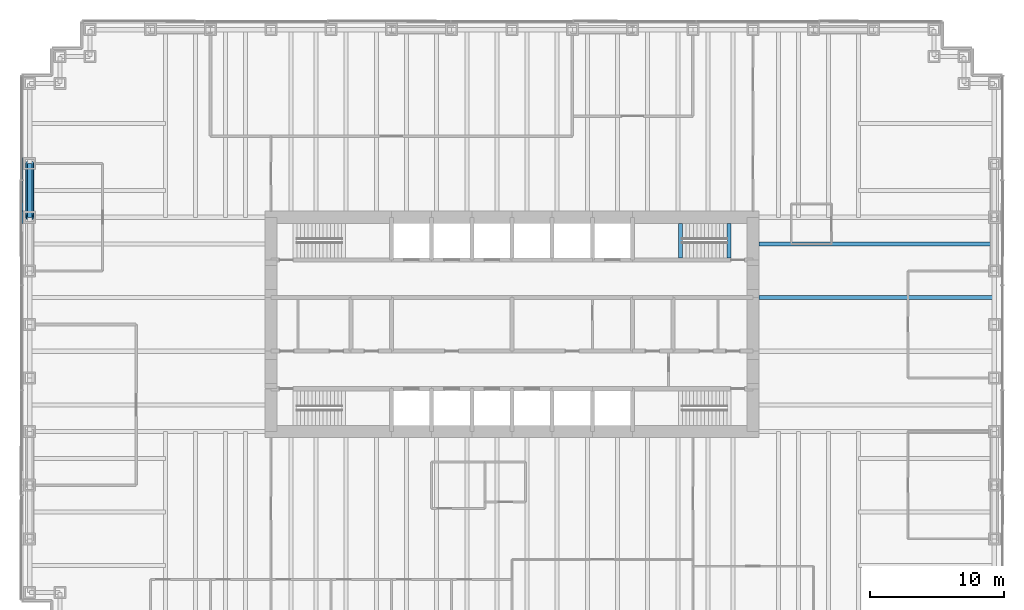
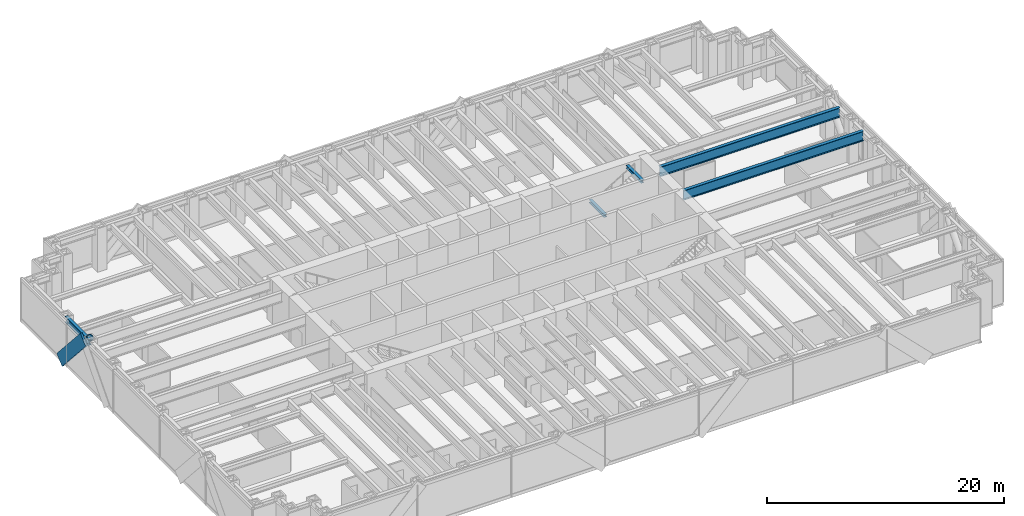
# One storey, part 4 of 13: 5 beams, 2 members, 1 element without a shape of its own.
"""IFC4 building model written with IfcOpenShell, lengths in metres."""

from ifc_helpers import new_model, si_unit, direction, frame, origin, origin_2d, place, context, subcontext, project, spatial, rectangle, hollow_circle, i_section, extrude, material, material_profile, profile_set, type_object, element, aggregate, save


model = new_model("IFC4")

# Units and contexts
model_context = context("Model", 3, precision=1e-05, world=origin(), true_north=direction((0.0, 1.0)))
body_context = subcontext(model_context, "Body", "Model", "MODEL_VIEW")
ifc_project = project(units=[si_unit("LENGTHUNIT", "METRE"), si_unit("AREAUNIT", "SQUARE_METRE"), si_unit("VOLUMEUNIT", "CUBIC_METRE"), si_unit("PLANEANGLEUNIT", "RADIAN"), si_unit("MASSUNIT", "GRAM", prefix="KILO")], contexts=[model_context])

# Site, building, storey
site_placement = place(None, origin())
site = spatial("IfcSite", under=ifc_project, at=site_placement, CompositionType="ELEMENT")
building_placement = place(site_placement, origin())
building = spatial("IfcBuilding", under=site, at=building_placement, Name="Rheinbord Bourse Tower", CompositionType="ELEMENT")
storey_placement = place(building_placement, frame((0.0, 0.0, 68.0)))
storey = spatial("IfcBuildingStorey", under=building, at=storey_placement, Name="L14", CompositionType="ELEMENT", Elevation=68.0)

# Curtain wall, member
ifc_material_1 = material(Name="Dark glass and black aluminium", Category="aluminium")
curtain_wall_type = type_object("IfcCurtainWallType", Name="CW1 DARK GLASS CURTAIN WALL", PredefinedType="USERDEFINED", material=ifc_material_1)
curtain_wall_placement = place(storey_placement, origin())
curtain_wall = element("IfcCurtainWall", 1, at=curtain_wall_placement, inside=storey, type_object=curtain_wall_type, Name="Curtain wall CW1 W L14", ObjectType="UNITISED CURTAIN WALL", PredefinedType="USERDEFINED")
ifc_material_2 = material(Name="Black anodised aluminium", Category="aluminium")
ifc_material_profile_1 = material_profile(ifc_material_2, rectangle(XDim=0.179931640625, YDim=1.2099609375, at=origin_2d()), Name="CW1 DIAGONAL MULLION 1210x180")
ifc_profile_set_1 = profile_set([ifc_material_profile_1], Name="Black anodised aluminium")
member_type_1 = type_object("IfcMemberType", Name="CW1 BLACK DIAGONAL MULLION", PredefinedType="USERDEFINED", material=ifc_profile_set_1)
member_1_placement = place(storey_placement, frame((-0.60009765625, 36.0, 0.0), z_axis=(0.0, -0.66436383883, 0.747409318684), x_axis=(1.0, 0.0, 0.0)))
member_1 = element("IfcMember", 2, at=member_1_placement, type_object=member_type_1, Name="CW1 diagonal mullion d", ObjectType="DIAGONAL MULLION", PredefinedType="USERDEFINED", context=body_context, shape_type="SweptSolid", body=[
    extrude(rectangle(XDim=0.179931640625, YDim=1.2099609375, at=origin_2d()), origin(), (0.0, 0.0, 1.0), 6.020751953125),
])
aggregate(curtain_wall, [member_1])

# Beams
ifc_material_3 = material(Name="Steel S460", Category="steel")
ifc_material_profile_2 = material_profile(ifc_material_3, i_section(OverallWidth=0.302001953125, OverallDepth=1.008056640625, WebThickness=0.02099609375, FlangeThickness=0.0400390625, at=origin_2d()), Name="HEM 1000")
ifc_profile_set_2 = profile_set([ifc_material_profile_2], Name="Steel S460")
beam_type_1 = type_object("IfcBeamType", Name="END BEAM HEM 1000", PredefinedType="BEAM", material=ifc_profile_set_2)
for number, where, z_axis, x_axis, name in (
    (3, (54.449951171875, 26.0, 3.81591796875), (1.0, 0.0, 0.0), (0.0, 1.0, 0.0), "End beam east 26 L15"),
    (4, (54.449951171875, 30.0, 3.81591796875), (1.0, 0.0, 0.0), (0.0, 1.0, 0.0), "End beam east 30 L15"),
):
    element("IfcBeam", number, at=place(storey_placement, frame(where, z_axis=z_axis, x_axis=x_axis)), inside=storey, type_object=beam_type_1, Name=name, PredefinedType="BEAM", context=body_context, shape_type="SweptSolid", body=[
        extrude(i_section(OverallWidth=0.302001953125, OverallDepth=1.008056640625, WebThickness=0.02099609375, FlangeThickness=0.0400390625, at=origin_2d()), origin(), (0.0, 0.0, 1.0), 17.550048828125),
    ])
ifc_material_4 = material(Name="Steel S460", Category="steel")
ifc_material_profile_3 = material_profile(ifc_material_4, i_section(OverallWidth=0.300048828125, OverallDepth=0.300048828125, WebThickness=0.010986328125, FlangeThickness=0.01904296875, at=origin_2d()), Name="HEB 300")
ifc_profile_set_3 = profile_set([ifc_material_profile_3], Name="Steel S460")
beam_type_2 = type_object("IfcBeamType", Name="LANDING TRIMMER HEB 300", PredefinedType="BEAM", material=ifc_profile_set_3)
for number, where, z_axis, x_axis, name in (
    (5, (48.590087890625, 28.949951171875, 1.89990234375), (0.0, 1.0, 0.0), (-1.0, 0.0, 0.0), "Landing trimmer ST4 L14"),
    (6, (52.199951171875, 28.949951171875, 4.169921875), (0.0, 1.0, 0.0), (-1.0, 0.0, 0.0), "Well trimmer ST4 under L15"),
):
    element("IfcBeam", number, at=place(storey_placement, frame(where, z_axis=z_axis, x_axis=x_axis)), inside=storey, type_object=beam_type_2, Name=name, PredefinedType="BEAM", context=body_context, shape_type="SweptSolid", body=[
        extrude(i_section(OverallWidth=0.300048828125, OverallDepth=0.300048828125, WebThickness=0.010986328125, FlangeThickness=0.01904296875, at=origin_2d()), origin(), (0.0, 0.0, 1.0), 2.60009765625),
    ])

# Member
ifc_material_5 = material(Name="Steel S460", Category="steel")
ifc_material_profile_4 = material_profile(ifc_material_5, hollow_circle(Radius=0.304931640625, WallThickness=0.050048828125, at=origin_2d()), Name="CHS 610x50")
ifc_profile_set_4 = profile_set([ifc_material_profile_4], Name="Steel S460")
member_type_2 = type_object("IfcMemberType", Name="MEGABRACE CHS 610x50", PredefinedType="BRACE", material=ifc_profile_set_4)
member_2_placement = place(storey_placement, frame((0.0, 36.0, 0.0), z_axis=(0.0, -0.66436383883, 0.747409318684), x_axis=(1.0, 0.0, 0.0)))
element("IfcMember", 7, at=member_2_placement, inside=storey, type_object=member_type_2, Name="Megabrace W face line d L14", PredefinedType="BRACE", context=body_context, shape_type="SweptSolid", body=[
    extrude(hollow_circle(Radius=0.304931640625, WallThickness=0.050048828125, at=origin_2d()), origin(), (0.0, 0.0, 1.0), 6.020751953125),
])

# Beam
ifc_material_6 = material(Name="Steel S460", Category="steel")
ifc_material_profile_5 = material_profile(ifc_material_6, i_section(OverallWidth=0.304931640625, OverallDepth=0.6201171875, WebThickness=0.02099609375, FlangeThickness=0.0400390625, at=origin_2d()), Name="HEM 600")
ifc_profile_set_5 = profile_set([ifc_material_profile_5], Name="Steel S460")
beam_type_3 = type_object("IfcBeamType", Name="SPANDREL HEM 600", PredefinedType="SPANDREL", material=ifc_profile_set_5)
beam_placement = place(storey_placement, frame((0.0, 36.0, 4.010009765625), z_axis=(0.0, -1.0, 0.0), x_axis=(1.0, 0.0, 0.0)))
element("IfcBeam", 8, at=beam_placement, inside=storey, type_object=beam_type_3, Name="Spandrel W-36-W-32 under L15", PredefinedType="SPANDREL", context=body_context, shape_type="SweptSolid", body=[
    extrude(i_section(OverallWidth=0.304931640625, OverallDepth=0.6201171875, WebThickness=0.02099609375, FlangeThickness=0.0400390625, at=origin_2d()), origin(), (0.0, 0.0, 1.0), 4.0),
])

save(model, "model.ifc")
